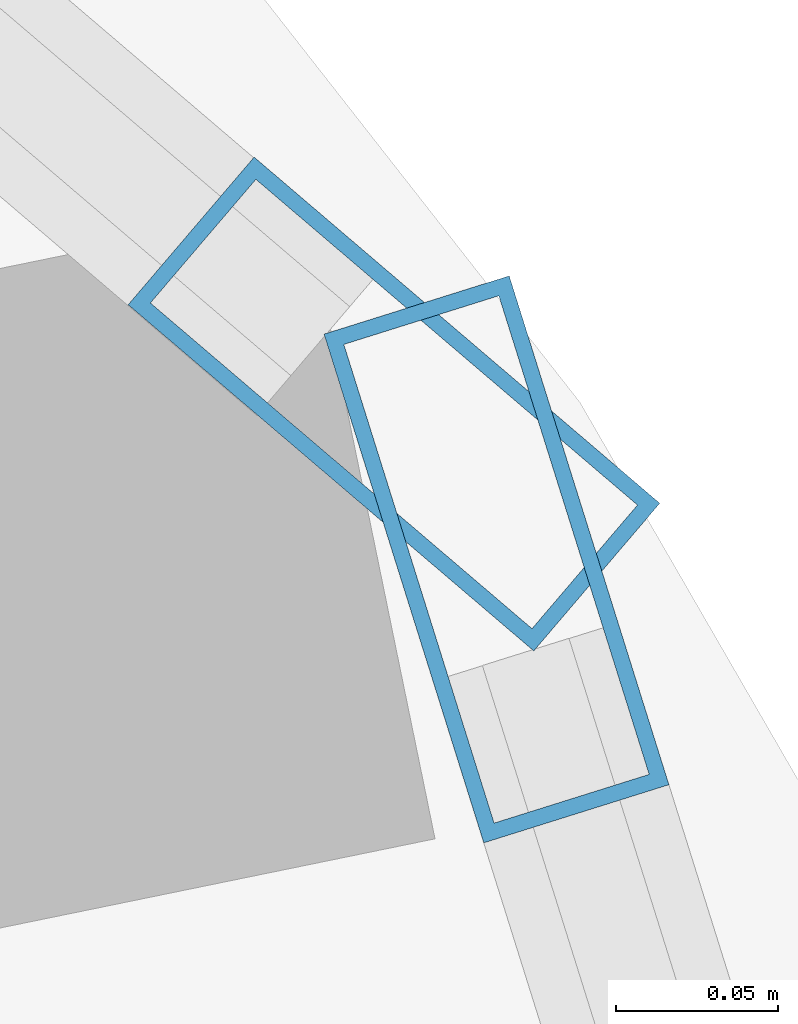
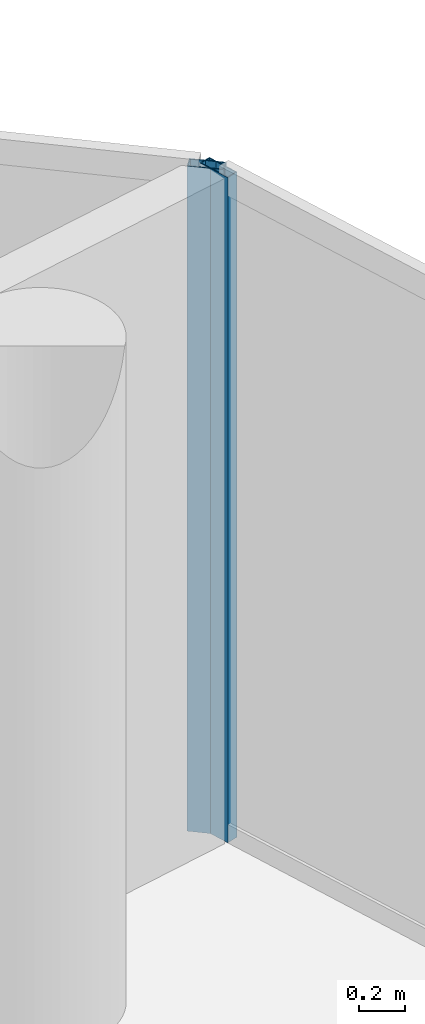
# One storey, part 14 of 24: 2 members, 2 elements without a shape of their own.
"""IFC4 building model written with IfcOpenShell, lengths in metres."""

from ifc_helpers import new_model, si_unit, direction, frame, origin, origin_2d, place, context, subcontext, project, spatial, hollow_rectangle, extrude, material, layer, layer_set, material_profile, profile_set, type_object, element, aggregate, save


model = new_model("IFC4")

# Units and contexts
model_context = context("Model", 3, precision=1e-05, world=origin(), true_north=direction((0.0, 1.0)))
body_context = subcontext(model_context, "Body", "Model", "MODEL_VIEW")
ifc_project = project(units=[si_unit("LENGTHUNIT", "METRE"), si_unit("AREAUNIT", "SQUARE_METRE"), si_unit("VOLUMEUNIT", "CUBIC_METRE"), si_unit("PLANEANGLEUNIT", "RADIAN"), si_unit("MASSUNIT", "GRAM", prefix="KILO")], contexts=[model_context])

# Site, building, storey
site_placement = place(None, origin())
site = spatial("IfcSite", under=ifc_project, at=site_placement, CompositionType="ELEMENT")
building_placement = place(site_placement, origin())
building = spatial("IfcBuilding", under=site, at=building_placement, Name="Nuhasar Tower", CompositionType="ELEMENT")
storey_placement = place(building_placement, frame((0.0, 0.0, 259.39990234375)))
storey = spatial("IfcBuildingStorey", under=building, at=storey_placement, Name="L64", CompositionType="ELEMENT", Elevation=259.39990234375)

# Curtain wall, member
ifc_material = material(Name="Aluminium 6063-T6", Category="aluminium")
ifc_layer = layer(ifc_material, 0.18994140625)
ifc_layer_set = layer_set([ifc_layer], Name="Aluminium 6063-T6")
curtain_wall_type = type_object("IfcCurtainWallType", Name="CW-Z4-PEN", PredefinedType="NOTDEFINED", material=ifc_layer_set)
curtain_wall_1_placement = place(storey_placement, origin())
curtain_wall_1 = element("IfcCurtainWall", 1, at=curtain_wall_1_placement, inside=storey, type_object=curtain_wall_type, Name="L64 Unitised Curtain Wall 01", PredefinedType="NOTDEFINED")
ifc_material_profile = material_profile(ifc_material, hollow_rectangle(XDim=0.06005859375, YDim=0.1650390625, WallThickness=0.0048828125, at=origin_2d()), Name="CWM-5")
ifc_profile_set = profile_set([ifc_material_profile], Name="Aluminium 6063-T6")
member_type = type_object("IfcMemberType", Name="CW-MUL-S5", PredefinedType="MULLION", material=ifc_profile_set)
member_1_placement = place(storey_placement, frame((56.72802734375, 35.50146484375, 0.0), z_axis=(0.0, 0.0, 1.0), x_axis=(-0.954078526601, -0.299556614146, 0.0)))
member_1 = element("IfcMember", 2, at=member_1_placement, type_object=member_type, Name="CW-Z4 mullion 2", PredefinedType="MULLION", context=body_context, shape_type="SweptSolid", body=[
    extrude(hollow_rectangle(XDim=0.06005859375, YDim=0.1650390625, WallThickness=0.0048828125, at=origin_2d()), origin(), (0.0, 0.0, 1.0), 3.5400390625),
])
aggregate(curtain_wall_1, [member_1])

curtain_wall_2_placement = place(storey_placement, origin())
curtain_wall_2 = element("IfcCurtainWall", 3, at=curtain_wall_2_placement, inside=storey, type_object=curtain_wall_type, Name="L64 Unitised Curtain Wall 02", PredefinedType="NOTDEFINED")
member_2_placement = place(storey_placement, frame((56.6962890625, 35.549560546875, 0.0), z_axis=(0.0, 0.0, 1.0), x_axis=(-0.649141996205, -0.760667252327, 0.0)))
member_2 = element("IfcMember", 4, at=member_2_placement, type_object=member_type, Name="CW-Z4 mullion 1", PredefinedType="MULLION", context=body_context, shape_type="SweptSolid", body=[
    extrude(hollow_rectangle(XDim=0.06005859375, YDim=0.1650390625, WallThickness=0.0048828125, at=origin_2d()), origin(), (0.0, 0.0, 1.0), 3.5400390625),
])
aggregate(curtain_wall_2, [member_2])

save(model, "model.ifc")
